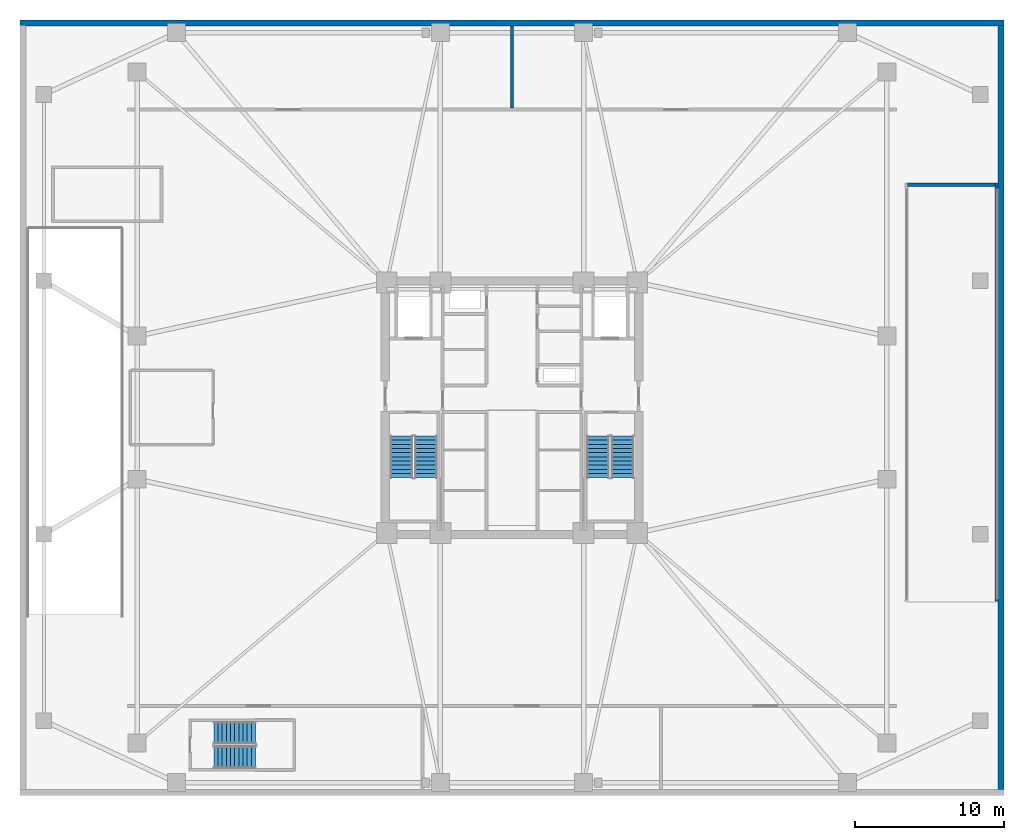
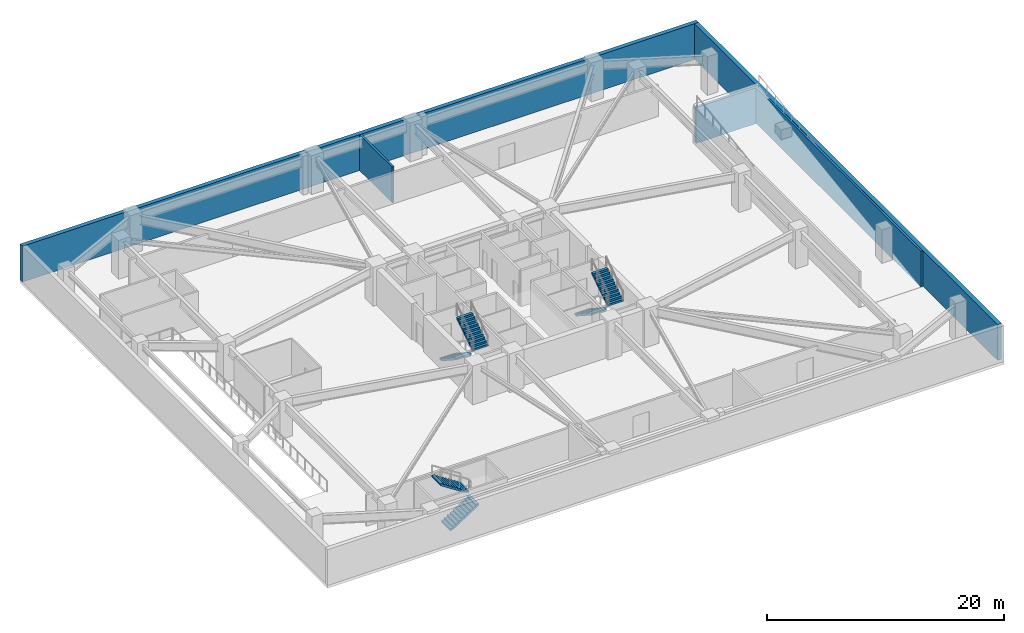
# One storey, part 5 of 9: 6 stair flights, 5 walls, 3 elements without a shape of their own.
"""IFC4 building model written with IfcOpenShell, lengths in metres."""

from ifc_helpers import new_model, si_unit, direction, frame, frame_2d, origin, place, context, subcontext, project, spatial, polyline, rectangle, outline, extrude, material, layer, layer_set, type_object, element, aggregate, save


model = new_model("IFC4")

# Units and contexts
model_context = context("Model", 3, precision=1e-05, world=origin(), true_north=direction((0.0, 1.0)))
body_context = subcontext(model_context, "Body", "Model", "MODEL_VIEW")
ifc_project = project(units=[si_unit("LENGTHUNIT", "METRE"), si_unit("AREAUNIT", "SQUARE_METRE"), si_unit("VOLUMEUNIT", "CUBIC_METRE"), si_unit("PLANEANGLEUNIT", "RADIAN"), si_unit("MASSUNIT", "GRAM", prefix="KILO")], contexts=[model_context])

# Site, building, storey
site_placement = place(None, origin())
site = spatial("IfcSite", under=ifc_project, at=site_placement, CompositionType="ELEMENT")
building_placement = place(site_placement, origin())
building = spatial("IfcBuilding", under=site, at=building_placement, Name="Cairnveth Concourse Tower", CompositionType="ELEMENT")
storey_placement = place(building_placement, frame((0.0, 0.0, -4.0)))
storey = spatial("IfcBuildingStorey", under=building, at=storey_placement, Name="B01", CompositionType="ELEMENT", Elevation=-4.0)

# Walls
ifc_material_1 = material(Name="Concrete N50 (50 MPa)", Category="concrete")
ifc_layer_1 = layer(ifc_material_1, 0.39990234375)
ifc_layer_set_1 = layer_set([ifc_layer_1], Name="Concrete N50 (50 MPa)")
wall_type_1 = type_object("IfcWallType", Name="BASEMENT RETAINING WALL 400", PredefinedType="USERDEFINED", material=ifc_layer_set_1)
wall_1_placement = place(storey_placement, frame((19.0, 64.800048828125, 0.0), z_axis=(0.0, 0.0, 1.0), x_axis=(1.0, 0.0, 0.0)))
element("IfcWall", 1, at=wall_1_placement, inside=storey, type_object=wall_type_1, Name="Exterior Wall EW-B01-N", ObjectType="RETAINING WALL", PredefinedType="USERDEFINED", context=body_context, shape_type="SweptSolid", body=[
    extrude(rectangle(XDim=66.0, YDim=0.39990234375, at=frame_2d((33.0, 0.0))), origin(), (0.0, 0.0, 1.0), 3.699951171875),
])
wall_2_placement = place(storey_placement, frame((84.800048828125, 64.614990234375, 0.0), z_axis=(0.0, 0.0, 1.0), x_axis=(0.0, -1.0, 0.0)))
element("IfcWall", 2, at=wall_2_placement, inside=storey, type_object=wall_type_1, Name="Exterior Wall EW-B01-E", ObjectType="RETAINING WALL", PredefinedType="USERDEFINED", context=body_context, shape_type="SweptSolid", body=[
    extrude(rectangle(XDim=51.22998046875, YDim=0.39990234375, at=frame_2d((25.614990234375, 0.0))), origin(), (0.0, 0.0, 1.0), 3.699951171875),
])
ifc_layer_2 = layer(ifc_material_1, 0.199951171875)
ifc_layer_set_2 = layer_set([ifc_layer_2], Name="Concrete N50 (50 MPa)")
wall_type_2 = type_object("IfcWallType", Name="FIRE SHAFT WALL 200", PredefinedType="SOLIDWALL", material=ifc_layer_set_2)
wall_3_placement = place(storey_placement, frame((52.0, 59.0849609375, 0.0), z_axis=(0.0, 0.0, 1.0), x_axis=(0.0, 1.0, 0.0)))
element("IfcWall", 3, at=wall_3_placement, inside=storey, type_object=wall_type_2, Name="Interior Wall IW-B01-042", PredefinedType="SOLIDWALL", context=body_context, shape_type="SweptSolid", body=[
    extrude(rectangle(XDim=5.51513671875, YDim=0.199951171875, at=frame_2d((2.757568359375, 0.0))), origin(), (0.0, 0.0, 1.0), 3.699951171875),
])
wall_4_placement = place(storey_placement, frame((84.489990234375, 26.0, 0.0), z_axis=(0.0, 0.0, 1.0), x_axis=(0.0, 1.0, 0.0)))
element("IfcWall", 4, at=wall_4_placement, inside=storey, type_object=wall_type_2, Name="Ramp B01-L00 East Support Wall", PredefinedType="SOLIDWALL", context=body_context, shape_type="SweptSolid", body=[
    extrude(rectangle(XDim=28.074951171875, YDim=0.199951171875, at=frame_2d((14.03759765625, 0.0))), origin(), (0.0, 0.0, 1.0), 3.699951171875),
])
wall_5_placement = place(storey_placement, frame((78.534912109375, 53.949951171875, 0.0), z_axis=(0.0, 0.0, 1.0), x_axis=(1.0, 0.0, 0.0)))
element("IfcWall", 5, at=wall_5_placement, inside=storey, type_object=wall_type_2, Name="Ramp B01-L00 Head Bearing Wall", PredefinedType="SOLIDWALL", context=body_context, shape_type="SweptSolid", body=[
    extrude(rectangle(XDim=5.8701171875, YDim=0.25, at=frame_2d((2.93505859375, 0.0))), origin(), (0.0, 0.0, 1.0), 3.699951171875),
])

# Stair, stair flights
ifc_material_2 = material(Name="Precast concrete N50 (50 MPa)", Category="concrete")
stair_type = type_object("IfcStairType", Name="CORE DOG-LEG FIRE STAIR 1500", PredefinedType="HALF_TURN_STAIR", material=ifc_material_2)
stair_1_placement = place(storey_placement, origin())
stair_1 = element("IfcStair", 6, at=stair_1_placement, inside=storey, type_object=stair_type, Name="B01 Fire-Isolated Stair ST-1", PredefinedType="HALF_TURN_STAIR")
stair_flight_type = type_object("IfcStairFlightType", Name="PRECAST CONCRETE STAIR FLIGHT 1500", PredefinedType="STRAIGHT", material=ifc_material_2)
stair_flight_1_placement = place(storey_placement, frame((44.590087890625, 37.10009765625, 0.0), z_axis=(0.0, 0.0, 1.0), x_axis=(0.0, -1.0, 0.0)))
stair_flight_1 = element("IfcStairFlight", 7, at=stair_flight_1_placement, type_object=stair_flight_type, Name="ST-1 flight 1", NumberOfRisers=11, NumberOfTreads=10, PredefinedType="STRAIGHT", RiserHeight=0.181818182, TreadLength=0.28, context=body_context, shape_type="SweptSolid", body=[
    extrude(outline(polyline([(0.0, 0.0), (0.0, 0.181884765625), (0.280029296875, 0.181884765625), (0.280029296875, 0.363525390625), (0.56005859375, 0.363525390625), (0.56005859375, 0.54541015625), (0.840087890625, 0.54541015625), (0.840087890625, 0.727294921875), (1.1201171875, 0.727294921875), (1.1201171875, 0.9091796875), (1.39990234375, 0.9091796875), (1.39990234375, 1.0908203125), (1.679931640625, 1.0908203125), (1.679931640625, 1.272705078125), (1.9599609375, 1.272705078125), (1.9599609375, 1.45458984375), (2.239990234375, 1.45458984375), (2.239990234375, 1.636474609375), (2.52001953125, 1.636474609375), (2.52001953125, 1.818115234375), (2.800048828125, 1.818115234375), (2.800048828125, 2.0), (2.800048828125, 1.639404296875), (0.275146484375, 0.0), (0.0, 0.0)])), frame((0.0, 0.75, 0.0), z_axis=(0.0, -1.0, 0.0), x_axis=(1.0, 0.0, 0.0)), (0.0, 0.0, 1.0), 1.5),
])
stair_flight_2_placement = place(storey_placement, frame((46.22998046875, 34.300048828125, 2.0), z_axis=(0.0, 0.0, 1.0), x_axis=(0.0, 1.0, 0.0)))
stair_flight_2 = element("IfcStairFlight", 8, at=stair_flight_2_placement, type_object=stair_flight_type, Name="ST-1 flight 2", NumberOfRisers=11, NumberOfTreads=10, PredefinedType="STRAIGHT", RiserHeight=0.181818182, TreadLength=0.28, context=body_context, shape_type="SweptSolid", body=[
    extrude(outline(polyline([(0.0, 0.0), (0.0, 0.181884765625), (0.280029296875, 0.181884765625), (0.280029296875, 0.363525390625), (0.56005859375, 0.363525390625), (0.56005859375, 0.54541015625), (0.840087890625, 0.54541015625), (0.840087890625, 0.727294921875), (1.1201171875, 0.727294921875), (1.1201171875, 0.9091796875), (1.39990234375, 0.9091796875), (1.39990234375, 1.0908203125), (1.679931640625, 1.0908203125), (1.679931640625, 1.272705078125), (1.9599609375, 1.272705078125), (1.9599609375, 1.45458984375), (2.239990234375, 1.45458984375), (2.239990234375, 1.636474609375), (2.52001953125, 1.636474609375), (2.52001953125, 1.818115234375), (2.800048828125, 1.818115234375), (2.800048828125, 2.0), (2.800048828125, 1.639404296875), (0.275146484375, 0.0), (0.0, 0.0)])), frame((0.0, 0.75, 0.0), z_axis=(0.0, -1.0, 0.0), x_axis=(1.0, 0.0, 0.0)), (0.0, 0.0, 1.0), 1.5),
])
aggregate(stair_1, [stair_flight_1, stair_flight_2])

stair_2_placement = place(storey_placement, origin())
stair_2 = element("IfcStair", 9, at=stair_2_placement, inside=storey, type_object=stair_type, Name="B01 Fire-Isolated Stair ST-2", PredefinedType="HALF_TURN_STAIR")
stair_flight_3_placement = place(storey_placement, frame((57.77001953125, 37.10009765625, 0.0), z_axis=(0.0, 0.0, 1.0), x_axis=(0.0, -1.0, 0.0)))
stair_flight_3 = element("IfcStairFlight", 10, at=stair_flight_3_placement, type_object=stair_flight_type, Name="ST-2 flight 1", NumberOfRisers=11, NumberOfTreads=10, PredefinedType="STRAIGHT", RiserHeight=0.181818182, TreadLength=0.28, context=body_context, shape_type="SweptSolid", body=[
    extrude(outline(polyline([(0.0, 0.0), (0.0, 0.181884765625), (0.280029296875, 0.181884765625), (0.280029296875, 0.363525390625), (0.56005859375, 0.363525390625), (0.56005859375, 0.54541015625), (0.840087890625, 0.54541015625), (0.840087890625, 0.727294921875), (1.1201171875, 0.727294921875), (1.1201171875, 0.9091796875), (1.39990234375, 0.9091796875), (1.39990234375, 1.0908203125), (1.679931640625, 1.0908203125), (1.679931640625, 1.272705078125), (1.9599609375, 1.272705078125), (1.9599609375, 1.45458984375), (2.239990234375, 1.45458984375), (2.239990234375, 1.636474609375), (2.52001953125, 1.636474609375), (2.52001953125, 1.818115234375), (2.800048828125, 1.818115234375), (2.800048828125, 2.0), (2.800048828125, 1.639404296875), (0.275146484375, 0.0), (0.0, 0.0)])), frame((0.0, 0.75, 0.0), z_axis=(0.0, -1.0, 0.0), x_axis=(1.0, 0.0, 0.0)), (0.0, 0.0, 1.0), 1.5),
])
stair_flight_4_placement = place(storey_placement, frame((59.409912109375, 34.300048828125, 2.0), z_axis=(0.0, 0.0, 1.0), x_axis=(0.0, 1.0, 0.0)))
stair_flight_4 = element("IfcStairFlight", 11, at=stair_flight_4_placement, type_object=stair_flight_type, Name="ST-2 flight 2", NumberOfRisers=11, NumberOfTreads=10, PredefinedType="STRAIGHT", RiserHeight=0.181818182, TreadLength=0.28, context=body_context, shape_type="SweptSolid", body=[
    extrude(outline(polyline([(0.0, 0.0), (0.0, 0.181884765625), (0.280029296875, 0.181884765625), (0.280029296875, 0.363525390625), (0.56005859375, 0.363525390625), (0.56005859375, 0.54541015625), (0.840087890625, 0.54541015625), (0.840087890625, 0.727294921875), (1.1201171875, 0.727294921875), (1.1201171875, 0.9091796875), (1.39990234375, 0.9091796875), (1.39990234375, 1.0908203125), (1.679931640625, 1.0908203125), (1.679931640625, 1.272705078125), (1.9599609375, 1.272705078125), (1.9599609375, 1.45458984375), (2.239990234375, 1.45458984375), (2.239990234375, 1.636474609375), (2.52001953125, 1.636474609375), (2.52001953125, 1.818115234375), (2.800048828125, 1.818115234375), (2.800048828125, 2.0), (2.800048828125, 1.639404296875), (0.275146484375, 0.0), (0.0, 0.0)])), frame((0.0, 0.75, 0.0), z_axis=(0.0, -1.0, 0.0), x_axis=(1.0, 0.0, 0.0)), (0.0, 0.0, 1.0), 1.5),
])
aggregate(stair_2, [stair_flight_3, stair_flight_4])

stair_3_placement = place(storey_placement, origin())
stair_3 = element("IfcStair", 12, at=stair_3_placement, inside=storey, type_object=stair_type, Name="B01 Fire-Isolated Stair ST-B1", PredefinedType="HALF_TURN_STAIR")
stair_flight_5_placement = place(storey_placement, frame((32.0, 15.550048828125, 0.0), z_axis=(0.0, 0.0, 1.0), x_axis=(1.0, 0.0, 0.0)))
stair_flight_5 = element("IfcStairFlight", 13, at=stair_flight_5_placement, type_object=stair_flight_type, Name="ST-B1 flight 1", NumberOfRisers=11, NumberOfTreads=10, PredefinedType="STRAIGHT", RiserHeight=0.181818182, TreadLength=0.28, context=body_context, shape_type="SweptSolid", body=[
    extrude(outline(polyline([(0.0, 0.0), (0.0, 0.181884765625), (0.280029296875, 0.181884765625), (0.280029296875, 0.363525390625), (0.56005859375, 0.363525390625), (0.56005859375, 0.54541015625), (0.840087890625, 0.54541015625), (0.840087890625, 0.727294921875), (1.1201171875, 0.727294921875), (1.1201171875, 0.9091796875), (1.39990234375, 0.9091796875), (1.39990234375, 1.0908203125), (1.679931640625, 1.0908203125), (1.679931640625, 1.272705078125), (1.9599609375, 1.272705078125), (1.9599609375, 1.45458984375), (2.239990234375, 1.45458984375), (2.239990234375, 1.636474609375), (2.52001953125, 1.636474609375), (2.52001953125, 1.818115234375), (2.800048828125, 1.818115234375), (2.800048828125, 2.0), (2.800048828125, 1.639404296875), (0.275146484375, 0.0), (0.0, 0.0)])), frame((0.0, 0.75, 0.0), z_axis=(0.0, -1.0, 0.0), x_axis=(1.0, 0.0, 0.0)), (0.0, 0.0, 1.0), 1.5),
])
stair_flight_6_placement = place(storey_placement, frame((34.800048828125, 17.18994140625, 2.0), z_axis=(0.0, 0.0, 1.0), x_axis=(-1.0, 0.0, 0.0)))
stair_flight_6 = element("IfcStairFlight", 14, at=stair_flight_6_placement, type_object=stair_flight_type, Name="ST-B1 flight 2", NumberOfRisers=11, NumberOfTreads=10, PredefinedType="STRAIGHT", RiserHeight=0.181818182, TreadLength=0.28, context=body_context, shape_type="SweptSolid", body=[
    extrude(outline(polyline([(0.0, 0.0), (0.0, 0.181884765625), (0.280029296875, 0.181884765625), (0.280029296875, 0.363525390625), (0.56005859375, 0.363525390625), (0.56005859375, 0.54541015625), (0.840087890625, 0.54541015625), (0.840087890625, 0.727294921875), (1.1201171875, 0.727294921875), (1.1201171875, 0.9091796875), (1.39990234375, 0.9091796875), (1.39990234375, 1.0908203125), (1.679931640625, 1.0908203125), (1.679931640625, 1.272705078125), (1.9599609375, 1.272705078125), (1.9599609375, 1.45458984375), (2.239990234375, 1.45458984375), (2.239990234375, 1.636474609375), (2.52001953125, 1.636474609375), (2.52001953125, 1.818115234375), (2.800048828125, 1.818115234375), (2.800048828125, 2.0), (2.800048828125, 1.639404296875), (0.275146484375, 0.0), (0.0, 0.0)])), frame((0.0, 0.75, 0.0), z_axis=(0.0, -1.0, 0.0), x_axis=(1.0, 0.0, 0.0)), (0.0, 0.0, 1.0), 1.5),
])
aggregate(stair_3, [stair_flight_5, stair_flight_6])

save(model, "model.ifc")
